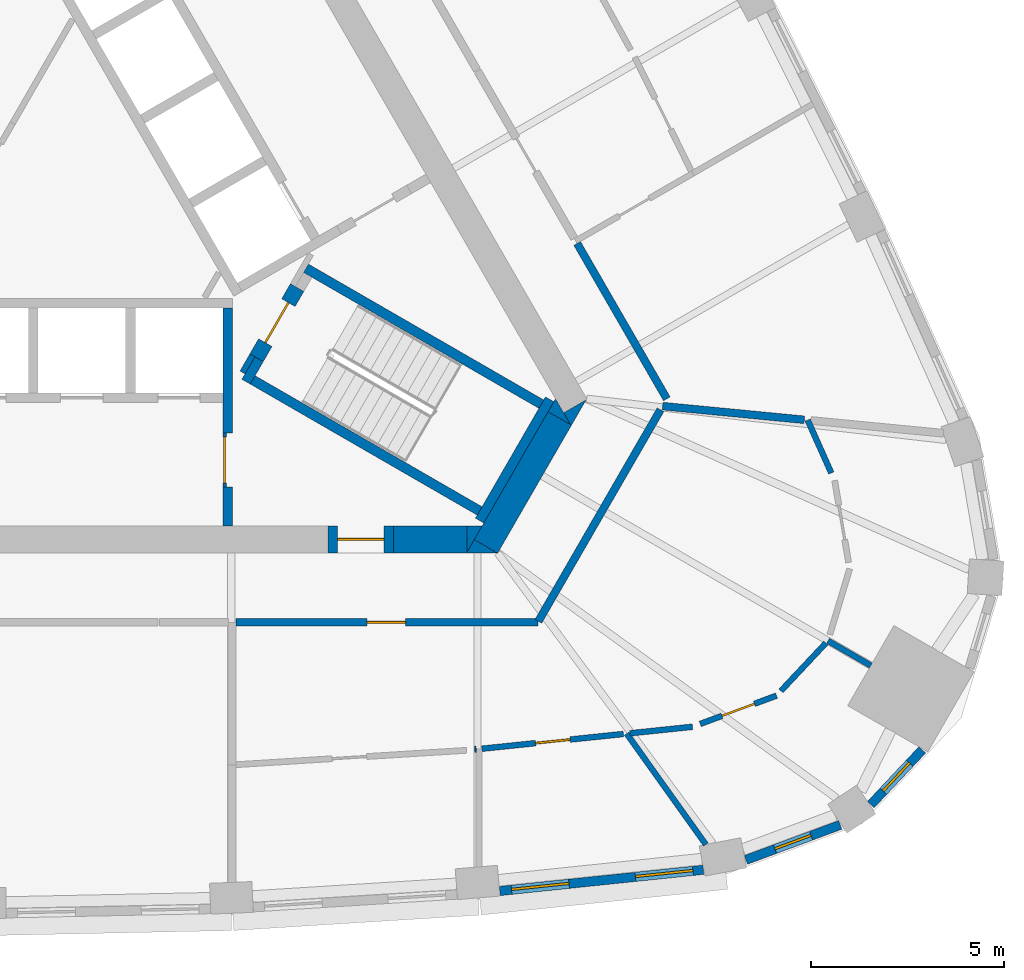
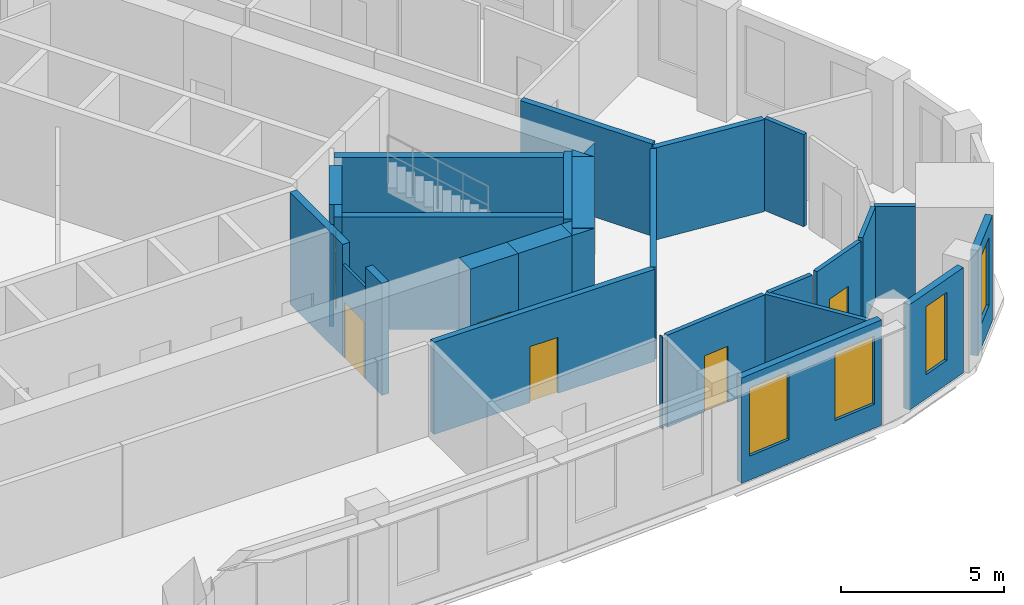
# One storey, part 6 of 10: 31 walls, 6 doors, 4 windows, 10 openings.
"""IFC4 building model written with IfcOpenShell, lengths in metres."""

from ifc_helpers import new_model, si_unit, direction, frame, frame_2d, origin, place, context, subcontext, project, spatial, polyline, rectangle, outline, extrude, material, layer, layer_set, type_object, element, fill, save


model = new_model("IFC4")

# Units and contexts
model_context = context("Model", 3, precision=1e-05, world=origin(), true_north=direction((0.0, 1.0)))
body_context = subcontext(model_context, "Body", "Model", "MODEL_VIEW")
ifc_project = project(units=[si_unit("LENGTHUNIT", "METRE"), si_unit("AREAUNIT", "SQUARE_METRE"), si_unit("VOLUMEUNIT", "CUBIC_METRE"), si_unit("PLANEANGLEUNIT", "RADIAN"), si_unit("MASSUNIT", "GRAM", prefix="KILO")], contexts=[model_context])

# Site, building, storey
site_placement = place(None, origin())
site = spatial("IfcSite", under=ifc_project, at=site_placement, CompositionType="ELEMENT")
building_placement = place(site_placement, origin())
building = spatial("IfcBuilding", under=site, at=building_placement, Name="Mestral Congress Tower", CompositionType="ELEMENT")
storey_placement = place(building_placement, frame((0.0, 0.0, 235.199951171875)))
storey = spatial("IfcBuildingStorey", under=building, at=storey_placement, Name="L55", CompositionType="ELEMENT", Elevation=235.199951171875)

# Wall
ifc_material_1 = material(Name="Fire-rated board partition")
ifc_layer_1 = layer(ifc_material_1, 0.14990234375)
ifc_layer_set_1 = layer_set([ifc_layer_1], Name="Fire-rated board partition")
wall_type_1 = type_object("IfcWallType", Name="Core partition 150", PredefinedType="PARTITIONING", material=ifc_layer_set_1)
wall_1_placement = place(storey_placement, frame((6.94482421875, -5.22216796875, 0.0), z_axis=(0.0, 0.0, 1.0), x_axis=(-0.499818422106, -0.866130212453, 0.0)))
element("IfcWall", 1, at=wall_1_placement, inside=storey, type_object=wall_type_1, Name="L55 core wall", PredefinedType="PARTITIONING", context=body_context, shape_type="SweptSolid", body=[
    extrude(rectangle(XDim=0.513916015625, YDim=0.14990234375, at=frame_2d((0.2568359375, 0.0))), origin(), (0.0, 0.0, 1.0), 3.449951171875),
])

# Wall, opening, door
ifc_layer_2 = layer(ifc_material_1, 0.090087890625)
ifc_layer_set_2 = layer_set([ifc_layer_2], Name="Fire-rated board partition")
wall_type_2 = type_object("IfcWallType", Name="Core partition 150 door-wall 90", PredefinedType="PARTITIONING", material=ifc_layer_set_2)
wall_2_placement = place(storey_placement, frame((6.219970703125, -7.23681640625, 0.0), z_axis=(0.0, 0.0, 1.0), x_axis=(0.0, -1.0, 0.0)))
wall_2 = element("IfcWall", 2, at=wall_2_placement, inside=storey, type_object=wall_type_2, Name="L55 door wall", PredefinedType="PARTITIONING", context=body_context, shape_type="SweptSolid", body=[
    extrude(rectangle(XDim=1.400146484375, YDim=0.090087890625, at=frame_2d((0.7001953125, 0.0))), origin(), (0.0, 0.0, 1.0), 3.449951171875),
])
opening_1_placement = place(wall_2_placement, frame((0.10009765625, 0.0, 0.0)))
opening_1 = element("IfcOpeningElement", 3, at=opening_1_placement, cuts=wall_2, Name="Opening LB0-WL1", PredefinedType="OPENING", context=body_context, shape_type="SweptSolid", body=[
    extrude(rectangle(XDim=1.199951171875, YDim=2.10009765625, at=frame_2d((0.60009765625, 1.050048828125))), frame((0.0, 0.054931640625, 0.0), z_axis=(0.0, -1.0, 0.0), x_axis=(1.0, 0.0, 0.0)), (0.0, 0.0, 1.0), 0.110107421875),
])
ifc_material_2 = material(Name="Fire-rated steel door set", Category="steel")
door_type_1 = type_object("IfcDoorType", Name="Core door LB 1200x2100", OperationType="SINGLE_SWING_LEFT", PredefinedType="DOOR", material=ifc_material_2)
door_1_placement = place(opening_1_placement, origin())
door_1 = element("IfcDoor", 4, at=door_1_placement, inside=storey, type_object=door_type_1, Name="Door LB0-WL1", OperationType="SINGLE_SWING_LEFT", OverallHeight=2.10009765625, OverallWidth=1.199951171875, PredefinedType="DOOR", context=body_context, shape_type="SweptSolid", body=[
    extrude(rectangle(XDim=1.199951171875, YDim=2.10009765625, at=frame_2d((0.60009765625, 1.050048828125))), frame((0.0, 0.02490234375, 0.0), z_axis=(0.0, -1.0, 0.0), x_axis=(1.0, 0.0, 0.0)), (0.0, 0.0, 1.0), 0.050048828125),
])
fill(opening_1, door_1)

# Walls
ifc_material_3 = material(Name="Concrete C60/75", Category="concrete")
ifc_layer_3 = layer(ifc_material_3, 0.699951171875)
ifc_layer_set_3 = layer_set([ifc_layer_3], Name="Concrete C60/75")
wall_type_3 = type_object("IfcWallType", Name="Core wall RC 700", PredefinedType="SOLIDWALL", material=ifc_layer_set_3)
placement = place(storey_placement, origin())
element("IfcWall", 5, at=placement, inside=storey, type_object=wall_type_3, Name="L55 core wall", PredefinedType="SOLIDWALL", context=body_context, shape_type="SweptSolid", body=[
    extrude(outline(polyline([(15.213134765625, -7.050048828125), (15.019287109375, -6.714111328125), (15.60107421875, -6.3779296875), (15.213134765625, -7.050048828125)])), origin(), (0.0, 0.0, 1.0), 4.199951171875),
])
wall_4_placement = place(storey_placement, frame((13.002685546875, -10.1787109375, 0.0), z_axis=(0.0, 0.0, 1.0), x_axis=(0.499972675833, 0.866041178825, 0.0)))
element("IfcWall", 6, at=wall_4_placement, inside=storey, type_object=wall_type_3, Name="L55 core wall", PredefinedType="SOLIDWALL", context=body_context, shape_type="SweptSolid", body=[
    extrude(rectangle(XDim=3.828857421875, YDim=0.699951171875, at=frame_2d((1.91455078125, 0.0))), origin(), (0.0, 0.0, 1.0), 4.199951171875),
])
element("IfcWall", 7, at=placement, inside=storey, type_object=wall_type_3, Name="L55 core wall", PredefinedType="SOLIDWALL", context=body_context, shape_type="SweptSolid", body=[
    extrude(outline(polyline([(12.49951171875, -10.35009765625), (12.698486328125, -10.00537109375), (13.295654296875, -10.35009765625), (12.49951171875, -10.35009765625)])), origin(), (0.0, 0.0, 1.0), 4.199951171875),
])
element("IfcWall", 8, at=placement, inside=storey, type_object=wall_type_3, Name="L55 core wall", PredefinedType="SOLIDWALL", context=body_context, shape_type="SweptSolid", body=[
    extrude(outline(polyline([(14.80908203125, -6.35009765625), (15.197265625, -7.022216796875), (14.614990234375, -6.68603515625), (14.80908203125, -6.35009765625)])), origin(), (0.0, 0.0, 1.0), 4.199951171875),
])
wall_7_placement = place(storey_placement, frame((10.6044921875, -10.0, 0.0), z_axis=(0.0, 0.0, 1.0), x_axis=(1.0, 0.0, 0.0)))
element("IfcWall", 9, at=wall_7_placement, inside=storey, type_object=wall_type_3, Name="L55 core wall", PredefinedType="SOLIDWALL", context=body_context, shape_type="SweptSolid", body=[
    extrude(rectangle(XDim=1.909423828125, YDim=0.699951171875, at=frame_2d((0.95458984375, 0.0))), origin(), (0.0, 0.0, 1.0), 4.199951171875),
])
element("IfcWall", 10, at=placement, inside=storey, type_object=wall_type_3, Name="L55 core wall", PredefinedType="SOLIDWALL", context=body_context, shape_type="SweptSolid", body=[
    extrude(outline(polyline([(12.90380859375, -9.64990234375), (12.515869140625, -10.322021484375), (12.515869140625, -9.64990234375), (12.90380859375, -9.64990234375)])), origin(), (0.0, 0.0, 1.0), 4.199951171875),
])

# Wall, opening, door
wall_9_placement = place(storey_placement, frame((10.6044921875, -10.0, 0.0), z_axis=(0.0, 0.0, 1.0), x_axis=(-1.0, 0.0, 0.0)))
wall_9 = element("IfcWall", 11, at=wall_9_placement, inside=storey, type_object=wall_type_3, Name="L55 door wall", PredefinedType="SOLIDWALL", context=body_context, shape_type="SweptSolid", body=[
    extrude(rectangle(XDim=1.699951171875, YDim=0.699951171875, at=frame_2d((0.85009765625, 0.0))), origin(), (0.0, 0.0, 1.0), 4.199951171875),
])
opening_2_placement = place(wall_9_placement, frame((0.25, 0.0, 0.0)))
opening_2 = element("IfcOpeningElement", 12, at=opening_2_placement, cuts=wall_9, Name="Opening XD1", PredefinedType="OPENING", context=body_context, shape_type="SweptSolid", body=[
    extrude(rectangle(XDim=1.199951171875, YDim=2.10009765625, at=frame_2d((0.60009765625, 1.050048828125))), frame((0.0, 0.35986328125, 0.0), z_axis=(0.0, -1.0, 0.0), x_axis=(1.0, 0.0, 0.0)), (0.0, 0.0, 1.0), 0.719970703125),
])
door_type_2 = type_object("IfcDoorType", Name="Core door XD 1200x2100", OperationType="SINGLE_SWING_LEFT", PredefinedType="DOOR", material=ifc_material_2)
door_2_placement = place(opening_2_placement, origin())
door_2 = element("IfcDoor", 13, at=door_2_placement, inside=storey, type_object=door_type_2, Name="Door XD1", OperationType="SINGLE_SWING_LEFT", OverallHeight=2.10009765625, OverallWidth=1.199951171875, PredefinedType="DOOR", context=body_context, shape_type="SweptSolid", body=[
    extrude(rectangle(XDim=1.199951171875, YDim=2.10009765625, at=frame_2d((0.60009765625, 1.050048828125))), frame((0.0, 0.02490234375, 0.0), z_axis=(0.0, -1.0, 0.0), x_axis=(1.0, 0.0, 0.0)), (0.0, 0.0, 1.0), 0.050048828125),
])
fill(opening_2, door_2)

# Wall, openings, windows
ifc_material_4 = material(Name="Precast concrete C40/50 with limestone facing", Category="masonry")
ifc_layer_4 = layer(ifc_material_4, 0.239990234375)
ifc_layer_set_4 = layer_set([ifc_layer_4], Name="Precast concrete C40/50 with limestone facing")
wall_type_4 = type_object("IfcWallType", Name="Facade stone wall 240", PredefinedType="SOLIDWALL", material=ifc_layer_set_4)
wall_10_placement = place(storey_placement, frame((13.362060546875, -19.12109375, 0.0), z_axis=(0.0, 0.0, 1.0), x_axis=(0.994621961215, 0.103571976272, 0.0)))
wall_10 = element("IfcWall", 14, at=wall_10_placement, inside=storey, type_object=wall_type_4, Name="Facade wall F0-05", PredefinedType="SOLIDWALL", context=body_context, shape_type="SweptSolid", body=[
    extrude(rectangle(XDim=5.310791015625, YDim=0.239990234375, at=frame_2d((2.6552734375, 0.0))), origin(), (0.0, 0.0, 1.0), 3.949951171875),
])
opening_3_placement = place(wall_10_placement, frame((0.306396484375, 0.0, 0.89990234375)))
opening_3 = element("IfcOpeningElement", 15, at=opening_3_placement, cuts=wall_10, Name="Opening W4", PredefinedType="OPENING", context=body_context, shape_type="SweptSolid", body=[
    extrude(rectangle(XDim=1.5, YDim=2.550048828125, at=frame_2d((0.75, 1.27490234375))), frame((0.0, 0.1298828125, 0.0), z_axis=(0.0, -1.0, 0.0), x_axis=(1.0, 0.0, 0.0)), (0.0, 0.0, 1.0), 0.260009765625),
])
opening_4_placement = place(wall_10_placement, frame((3.539306640625, 0.0, 0.89990234375)))
opening_4 = element("IfcOpeningElement", 16, at=opening_4_placement, cuts=wall_10, Name="Opening W4", PredefinedType="OPENING", context=body_context, shape_type="SweptSolid", body=[
    extrude(rectangle(XDim=1.5, YDim=2.550048828125, at=frame_2d((0.75, 1.27490234375))), frame((0.0, 0.1298828125, 0.0), z_axis=(0.0, -1.0, 0.0), x_axis=(1.0, 0.0, 0.0)), (0.0, 0.0, 1.0), 0.260009765625),
])
ifc_material_5 = material(Name="Clear low-emissivity double glazing", Category="glass")
window_type_1 = type_object("IfcWindowType", Name="Facade punched window 1500 x 2550 sill 900", PartitioningType="SINGLE_PANEL", PredefinedType="WINDOW", material=ifc_material_5)
window_1_placement = place(opening_3_placement, origin())
window_1 = element("IfcWindow", 17, at=window_1_placement, inside=storey, type_object=window_type_1, Name="Window F0-05a", OverallHeight=2.550048828125, OverallWidth=1.5, PartitioningType="SINGLE_PANEL", PredefinedType="WINDOW", context=body_context, shape_type="SweptSolid", body=[
    extrude(rectangle(XDim=1.5, YDim=2.550048828125, at=frame_2d((0.75, 1.27490234375))), frame((0.0, 0.0400390625, 0.0), z_axis=(0.0, -1.0, 0.0), x_axis=(1.0, 0.0, 0.0)), (0.0, 0.0, 1.0), 0.06005859375),
])
fill(opening_3, window_1)
window_2_placement = place(opening_4_placement, origin())
window_2 = element("IfcWindow", 18, at=window_2_placement, inside=storey, type_object=window_type_1, Name="Window F0-05b", OverallHeight=2.550048828125, OverallWidth=1.5, PartitioningType="SINGLE_PANEL", PredefinedType="WINDOW", context=body_context, shape_type="SweptSolid", body=[
    extrude(rectangle(XDim=1.5, YDim=2.550048828125, at=frame_2d((0.75, 1.27490234375))), frame((0.0, 0.0400390625, 0.0), z_axis=(0.0, -1.0, 0.0), x_axis=(1.0, 0.0, 0.0)), (0.0, 0.0, 1.0), 0.06005859375),
])
fill(opening_4, window_2)

# Wall, opening, window
wall_11_placement = place(storey_placement, frame((19.747802734375, -18.31396484375, 0.0), z_axis=(0.0, 0.0, 1.0), x_axis=(0.937569171184, 0.347798863203, 0.0)))
wall_11 = element("IfcWall", 19, at=wall_11_placement, inside=storey, type_object=wall_type_4, Name="Facade wall K0-0", PredefinedType="SOLIDWALL", context=body_context, shape_type="SweptSolid", body=[
    extrude(rectangle(XDim=2.609130859375, YDim=0.239990234375, at=frame_2d((1.3046875, 0.0))), origin(), (0.0, 0.0, 1.0), 3.949951171875),
])
opening_5_placement = place(wall_11_placement, frame((0.8046875, 0.0, 0.89990234375)))
opening_5 = element("IfcOpeningElement", 20, at=opening_5_placement, cuts=wall_11, Name="Opening W5", PredefinedType="OPENING", context=body_context, shape_type="SweptSolid", body=[
    extrude(rectangle(XDim=1.0, YDim=2.550048828125, at=frame_2d((0.5, 1.27490234375))), frame((0.0, 0.1298828125, 0.0), z_axis=(0.0, -1.0, 0.0), x_axis=(1.0, 0.0, 0.0)), (0.0, 0.0, 1.0), 0.260009765625),
])
window_type_2 = type_object("IfcWindowType", Name="Facade punched window 1000 x 2550 sill 900", PartitioningType="SINGLE_PANEL", PredefinedType="WINDOW", material=ifc_material_5)
window_3_placement = place(opening_5_placement, origin())
window_3 = element("IfcWindow", 21, at=window_3_placement, inside=storey, type_object=window_type_2, Name="Window K0-0", OverallHeight=2.550048828125, OverallWidth=1.0, PartitioningType="SINGLE_PANEL", PredefinedType="WINDOW", context=body_context, shape_type="SweptSolid", body=[
    extrude(rectangle(XDim=1.0, YDim=2.550048828125, at=frame_2d((0.5, 1.27490234375))), frame((0.0, 0.0400390625, 0.0), z_axis=(0.0, -1.0, 0.0), x_axis=(1.0, 0.0, 0.0)), (0.0, 0.0, 1.0), 0.06005859375),
])
fill(opening_5, window_3)

wall_12_placement = place(storey_placement, frame((22.989013671875, -16.87890625, 0.0), z_axis=(0.0, 0.0, 1.0), x_axis=(0.684770274166, 0.728758994194, 0.0)))
wall_12 = element("IfcWall", 22, at=wall_12_placement, inside=storey, type_object=wall_type_4, Name="Facade wall K0-1", PredefinedType="SOLIDWALL", context=body_context, shape_type="SweptSolid", body=[
    extrude(rectangle(XDim=1.947998046875, YDim=0.239990234375, at=frame_2d((0.97412109375, 0.0))), origin(), (0.0, 0.0, 1.0), 3.949951171875),
])
opening_6_placement = place(wall_12_placement, frame((0.47412109375, 0.0, 0.89990234375)))
opening_6 = element("IfcOpeningElement", 23, at=opening_6_placement, cuts=wall_12, Name="Opening W5", PredefinedType="OPENING", context=body_context, shape_type="SweptSolid", body=[
    extrude(rectangle(XDim=1.0, YDim=2.550048828125, at=frame_2d((0.5, 1.27490234375))), frame((0.0, 0.1298828125, 0.0), z_axis=(0.0, -1.0, 0.0), x_axis=(1.0, 0.0, 0.0)), (0.0, 0.0, 1.0), 0.260009765625),
])
window_4_placement = place(opening_6_placement, origin())
window_4 = element("IfcWindow", 24, at=window_4_placement, inside=storey, type_object=window_type_2, Name="Window K0-1", OverallHeight=2.550048828125, OverallWidth=1.0, PartitioningType="SINGLE_PANEL", PredefinedType="WINDOW", context=body_context, shape_type="SweptSolid", body=[
    extrude(rectangle(XDim=1.0, YDim=2.550048828125, at=frame_2d((0.5, 1.27490234375))), frame((0.0, 0.0400390625, 0.0), z_axis=(0.0, -1.0, 0.0), x_axis=(1.0, 0.0, 0.0)), (0.0, 0.0, 1.0), 0.06005859375),
])
fill(opening_6, window_4)

# Walls
ifc_material_6 = material(Name="Plasterboard partition on steel studs", Category="steel")
ifc_layer_5 = layer(ifc_material_6, 0.14990234375)
ifc_layer_set_5 = layer_set([ifc_layer_5], Name="Plasterboard partition on steel studs")
wall_type_5 = type_object("IfcWallType", Name="Office partition 150", PredefinedType="PARTITIONING", material=ifc_layer_set_5)
wall_13_placement = place(storey_placement, frame((12.713134765625, -15.448486328125, 0.0), z_axis=(0.0, 0.0, 1.0), x_axis=(0.995106821048, 0.098804932586, 0.0)))
element("IfcWall", 25, at=wall_13_placement, inside=storey, type_object=wall_type_5, Name="Partition", PredefinedType="PARTITIONING", context=body_context, shape_type="SweptSolid", body=[
    extrude(rectangle(XDim=0.03466796875, YDim=0.14990234375, at=frame_2d((0.017333984375, 0.0))), origin(), (0.0, 0.0, 1.0), 3.449951171875),
])
wall_14_placement = place(storey_placement, frame((16.65478515625, -15.0380859375, 0.0), z_axis=(0.0, 0.0, 1.0), x_axis=(0.580996489012, -0.813906063226, 0.0)))
element("IfcWall", 26, at=wall_14_placement, inside=storey, type_object=wall_type_5, Name="Partition", PredefinedType="PARTITIONING", context=body_context, shape_type="SweptSolid", body=[
    extrude(rectangle(XDim=3.53564453125, YDim=0.14990234375, at=frame_2d((1.767822265625, 0.0))), origin(), (0.0, 0.0, 1.0), 3.449951171875),
])

# Wall, opening, door
wall_15_placement = place(storey_placement, frame((16.569091796875, -15.047119140625, 0.0), z_axis=(0.0, 0.0, 1.0), x_axis=(-0.994621532294, -0.103576095197, 0.0)))
wall_15 = element("IfcWall", 27, at=wall_15_placement, inside=storey, type_object=wall_type_5, Name="Partition", PredefinedType="PARTITIONING", context=body_context, shape_type="SweptSolid", body=[
    extrude(rectangle(XDim=3.691162109375, YDim=0.14990234375, at=frame_2d((1.845703125, 0.0))), origin(), (0.0, 0.0, 1.0), 3.449951171875),
])
opening_7_placement = place(wall_15_placement, frame((1.39111328125, 0.0, 0.0)))
opening_7 = element("IfcOpeningElement", 28, at=opening_7_placement, cuts=wall_15, Name="Opening O08-008", PredefinedType="OPENING", context=body_context, shape_type="SweptSolid", body=[
    extrude(rectangle(XDim=0.89990234375, YDim=2.10009765625, at=frame_2d((0.449951171875, 1.050048828125))), frame((0.0, 0.0849609375, 0.0), z_axis=(0.0, -1.0, 0.0), x_axis=(1.0, 0.0, 0.0)), (0.0, 0.0, 1.0), 0.169921875),
])
ifc_material_7 = material(Name="Timber door set", Category="wood")
door_type_3 = type_object("IfcDoorType", Name="Office door 900x2100", OperationType="SINGLE_SWING_LEFT", PredefinedType="DOOR", material=ifc_material_7)
door_3_placement = place(opening_7_placement, origin())
door_3 = element("IfcDoor", 29, at=door_3_placement, inside=storey, type_object=door_type_3, Name="Door O08-008", OperationType="SINGLE_SWING_LEFT", OverallHeight=2.10009765625, OverallWidth=0.89990234375, PredefinedType="DOOR", context=body_context, shape_type="SweptSolid", body=[
    extrude(rectangle(XDim=0.89990234375, YDim=2.10009765625, at=frame_2d((0.449951171875, 1.050048828125))), frame((0.0, 0.02490234375, 0.0), z_axis=(0.0, -1.0, 0.0), x_axis=(1.0, 0.0, 0.0)), (0.0, 0.0, 1.0), 0.050048828125),
])
fill(opening_7, door_3)

# Walls
wall_16_placement = place(storey_placement, frame((21.876708984375, -12.63037109375, 0.0), z_axis=(0.0, 0.0, 1.0), x_axis=(0.86599869919, -0.500046250861, 0.0)))
element("IfcWall", 30, at=wall_16_placement, inside=storey, type_object=wall_type_5, Name="Partition", PredefinedType="PARTITIONING", context=body_context, shape_type="SweptSolid", body=[
    extrude(rectangle(XDim=1.28369140625, YDim=0.14990234375, at=frame_2d((0.641845703125, 0.0))), origin(), (0.0, 0.0, 1.0), 3.449951171875),
])
wall_17_placement = place(storey_placement, frame((16.740478515625, -15.029296875, 0.0), z_axis=(0.0, 0.0, 1.0), x_axis=(0.994614871477, 0.103640037805, 0.0)))
element("IfcWall", 31, at=wall_17_placement, inside=storey, type_object=wall_type_5, Name="Partition", PredefinedType="PARTITIONING", context=body_context, shape_type="SweptSolid", body=[
    extrude(rectangle(XDim=1.630126953125, YDim=0.14990234375, at=frame_2d((0.81494140625, 0.0))), origin(), (0.0, 0.0, 1.0), 3.449951171875),
])

# Wall, opening, door
wall_18_placement = place(storey_placement, frame((20.540771484375, -14.05224609375, 0.0), z_axis=(0.0, 0.0, 1.0), x_axis=(-0.937602119917, -0.347710029662, 0.0)))
wall_18 = element("IfcWall", 32, at=wall_18_placement, inside=storey, type_object=wall_type_5, Name="Partition", PredefinedType="PARTITIONING", context=body_context, shape_type="SweptSolid", body=[
    extrude(rectangle(XDim=2.10986328125, YDim=0.14990234375, at=frame_2d((1.054931640625, 0.0))), origin(), (0.0, 0.0, 1.0), 3.449951171875),
])
opening_8_placement = place(wall_18_placement, frame((0.609619140625, 0.0, 0.0)))
opening_8 = element("IfcOpeningElement", 33, at=opening_8_placement, cuts=wall_18, Name="Opening O08-009", PredefinedType="OPENING", context=body_context, shape_type="SweptSolid", body=[
    extrude(rectangle(XDim=0.89990234375, YDim=2.10009765625, at=frame_2d((0.449951171875, 1.050048828125))), frame((0.0, 0.0849609375, 0.0), z_axis=(0.0, -1.0, 0.0), x_axis=(1.0, 0.0, 0.0)), (0.0, 0.0, 1.0), 0.169921875),
])
door_4_placement = place(opening_8_placement, origin())
door_4 = element("IfcDoor", 34, at=door_4_placement, inside=storey, type_object=door_type_3, Name="Door O08-009", OperationType="SINGLE_SWING_RIGHT", OverallHeight=2.10009765625, OverallWidth=0.89990234375, PredefinedType="DOOR", context=body_context, shape_type="SweptSolid", body=[
    extrude(rectangle(XDim=0.89990234375, YDim=2.10009765625, at=frame_2d((0.449951171875, 1.050048828125))), frame((0.0, 0.02490234375, 0.0), z_axis=(0.0, -1.0, 0.0), x_axis=(1.0, 0.0, 0.0)), (0.0, 0.0, 1.0), 0.050048828125),
])
fill(opening_8, door_4)

# Walls
wall_19_placement = place(storey_placement, frame((20.656005859375, -13.929443359375, 0.0), z_axis=(0.0, 0.0, 1.0), x_axis=(0.684716940988, 0.728809104447, 0.0)))
element("IfcWall", 35, at=wall_19_placement, inside=storey, type_object=wall_type_5, Name="Partition", PredefinedType="PARTITIONING", context=body_context, shape_type="SweptSolid", body=[
    extrude(rectangle(XDim=1.705322265625, YDim=0.14990234375, at=frame_2d((0.8525390625, 0.0))), origin(), (0.0, 0.0, 1.0), 3.449951171875),
])
wall_20_placement = place(storey_placement, frame((21.962890625, -8.27587890625, 0.0), z_axis=(0.0, 0.0, 1.0), x_axis=(-0.407510458183, 0.913200540118, 0.0)))
element("IfcWall", 36, at=wall_20_placement, inside=storey, type_object=wall_type_5, Name="Partition", PredefinedType="PARTITIONING", context=body_context, shape_type="SweptSolid", body=[
    extrude(rectangle(XDim=1.501953125, YDim=0.14990234375, at=frame_2d((0.7509765625, 0.0))), origin(), (0.0, 0.0, 1.0), 3.449951171875),
])
ifc_material_8 = material(Name="Dense masonry wall, plastered", Category="masonry")
ifc_layer_6 = layer(ifc_material_8, 0.199951171875)
ifc_layer_set_6 = layer_set([ifc_layer_6], Name="Dense masonry wall, plastered")
wall_type_6 = type_object("IfcWallType", Name="Office tenancy wall 200", PredefinedType="PARTITIONING", material=ifc_layer_set_6)
wall_21_placement = place(storey_placement, frame((17.5859375, -6.540283203125, 0.0), z_axis=(0.0, 0.0, 1.0), x_axis=(0.995358181524, -0.096239755158, 0.0)))
element("IfcWall", 37, at=wall_21_placement, inside=storey, type_object=wall_type_6, Name="Tenancy wall", PredefinedType="PARTITIONING", context=body_context, shape_type="SweptSolid", body=[
    extrude(rectangle(XDim=3.696044921875, YDim=0.199951171875, at=frame_2d((1.84814453125, 0.0))), origin(), (0.0, 0.0, 1.0), 3.449951171875),
])

# Wall, opening, door
wall_22_placement = place(storey_placement, frame((6.516845703125, -12.14990234375, 0.0), z_axis=(0.0, 0.0, 1.0), x_axis=(1.0, 0.0, 0.0)))
wall_22 = element("IfcWall", 38, at=wall_22_placement, inside=storey, type_object=wall_type_6, Name="Tenancy wall", PredefinedType="PARTITIONING", context=body_context, shape_type="SweptSolid", body=[
    extrude(rectangle(XDim=7.830322265625, YDim=0.199951171875, at=frame_2d((3.9150390625, 0.0))), origin(), (0.0, 0.0, 1.0), 3.449951171875),
])
opening_9_placement = place(wall_22_placement, frame((3.39990234375, 0.0, 0.0)))
opening_9 = element("IfcOpeningElement", 39, at=opening_9_placement, cuts=wall_22, Name="Opening O08-011", PredefinedType="OPENING", context=body_context, shape_type="SweptSolid", body=[
    extrude(rectangle(XDim=1.0, YDim=2.10009765625, at=frame_2d((0.5, 1.050048828125))), frame((0.0, 0.10986328125, 0.0), z_axis=(0.0, -1.0, 0.0), x_axis=(1.0, 0.0, 0.0)), (0.0, 0.0, 1.0), 0.219970703125),
])
ifc_material_9 = material(Name="Fire-rated timber door set", Category="wood")
door_type_4 = type_object("IfcDoorType", Name="Office tenancy entrance door 1000x2100", OperationType="SINGLE_SWING_LEFT", PredefinedType="DOOR", material=ifc_material_9)
door_5_placement = place(opening_9_placement, origin())
door_5 = element("IfcDoor", 40, at=door_5_placement, inside=storey, type_object=door_type_4, Name="Door O08-011", OperationType="SINGLE_SWING_LEFT", OverallHeight=2.10009765625, OverallWidth=1.0, PredefinedType="DOOR", context=body_context, shape_type="SweptSolid", body=[
    extrude(rectangle(XDim=1.0, YDim=2.10009765625, at=frame_2d((0.5, 1.050048828125))), frame((0.0, 0.02490234375, 0.0), z_axis=(0.0, -1.0, 0.0), x_axis=(1.0, 0.0, 0.0)), (0.0, 0.0, 1.0), 0.050048828125),
])
fill(opening_9, door_5)

# Walls
wall_23_placement = place(storey_placement, frame((14.362060546875, -12.1240234375, 0.0), z_axis=(0.0, 0.0, 1.0), x_axis=(0.500017005442, 0.866015585465, 0.0)))
element("IfcWall", 41, at=wall_23_placement, inside=storey, type_object=wall_type_6, Name="Tenancy wall", PredefinedType="PARTITIONING", context=body_context, shape_type="SweptSolid", body=[
    extrude(rectangle(XDim=6.337646484375, YDim=0.199951171875, at=frame_2d((3.1689453125, 0.0))), origin(), (0.0, 0.0, 1.0), 3.449951171875),
])
wall_24_placement = place(storey_placement, frame((17.69580078125, -6.35009765625, 0.0), z_axis=(0.0, 0.0, 1.0), x_axis=(-0.499976825411, 0.866038783226, 0.0)))
element("IfcWall", 42, at=wall_24_placement, inside=storey, type_object=wall_type_6, Name="Tenancy wall", PredefinedType="PARTITIONING", context=body_context, shape_type="SweptSolid", body=[
    extrude(rectangle(XDim=4.652587890625, YDim=0.199951171875, at=frame_2d((2.326171875, 0.0))), origin(), (0.0, 0.0, 1.0), 3.449951171875),
])
ifc_layer_7 = layer(ifc_material_3, 0.25)
ifc_layer_set_7 = layer_set([ifc_layer_7], Name="Concrete C60/75")
wall_type_7 = type_object("IfcWallType", Name="Shaft wall RC 250", PredefinedType="SOLIDWALL", material=ifc_layer_set_7)
wall_25_placement = place(storey_placement, frame((6.300048828125, -7.239990234375, 0.0), z_axis=(0.0, 0.0, 1.0), x_axis=(0.0, 1.0, 0.0)))
element("IfcWall", 43, at=wall_25_placement, inside=storey, type_object=wall_type_7, Name="L55 core wall", PredefinedType="SOLIDWALL", context=body_context, shape_type="SweptSolid", body=[
    extrude(rectangle(XDim=3.239990234375, YDim=0.25, at=frame_2d((1.6201171875, 0.0))), origin(), (0.0, 0.0, 1.0), 4.199951171875),
])
wall_26_placement = place(storey_placement, frame((6.300048828125, -9.64990234375, 0.0), z_axis=(0.0, 0.0, 1.0), x_axis=(0.0, 1.0, 0.0)))
element("IfcWall", 44, at=wall_26_placement, inside=storey, type_object=wall_type_7, Name="L55 core wall", PredefinedType="SOLIDWALL", context=body_context, shape_type="SweptSolid", body=[
    extrude(rectangle(XDim=1.0078125, YDim=0.25, at=frame_2d((0.50390625, 0.0))), origin(), (0.0, 0.0, 1.0), 4.199951171875),
])
ifc_layer_8 = layer(ifc_material_3, 0.25)
ifc_layer_set_8 = layer_set([ifc_layer_8], Name="Concrete C60/75")
wall_type_8 = type_object("IfcWallType", Name="Stair wall RC 250", PredefinedType="SOLIDWALL", material=ifc_layer_set_8)
wall_27_placement = place(storey_placement, frame((12.839599609375, -9.510986328125, 0.0), z_axis=(0.0, 0.0, 1.0), x_axis=(0.500048121057, 0.865997619297, 0.0)))
element("IfcWall", 45, at=wall_27_placement, inside=storey, type_object=wall_type_8, Name="L55 core wall", PredefinedType="SOLIDWALL", context=body_context, shape_type="SweptSolid", body=[
    extrude(rectangle(XDim=3.634033203125, YDim=0.25, at=frame_2d((1.81689453125, 0.0))), origin(), (0.0, 0.0, 1.0), 4.199951171875),
])
wall_28_placement = place(storey_placement, frame((12.83984375, -9.2607421875, 0.0), z_axis=(0.0, 0.0, 1.0), x_axis=(-0.866013990052, 0.500019768644, 0.0)))
element("IfcWall", 46, at=wall_28_placement, inside=storey, type_object=wall_type_8, Name="L55 core wall", PredefinedType="SOLIDWALL", context=body_context, shape_type="SweptSolid", body=[
    extrude(rectangle(XDim=6.800048828125, YDim=0.25, at=frame_2d((3.39990234375, 0.0))), origin(), (0.0, 0.0, 1.0), 4.199951171875),
])
wall_29_placement = place(storey_placement, frame((6.780029296875, -5.906494140625, 0.0), z_axis=(0.0, 0.0, 1.0), x_axis=(0.500223362819, 0.865896406789, 0.0)))
element("IfcWall", 47, at=wall_29_placement, inside=storey, type_object=wall_type_8, Name="L55 core wall", PredefinedType="SOLIDWALL", context=body_context, shape_type="SweptSolid", body=[
    extrude(rectangle(XDim=0.675048828125, YDim=0.25, at=frame_2d((0.33740234375, 0.0))), origin(), (0.0, 0.0, 1.0), 4.199951171875),
])
wall_30_placement = place(storey_placement, frame((8.33447265625, -2.96435546875, 0.0), z_axis=(0.0, 0.0, 1.0), x_axis=(0.866016039709, -0.500016218704, 0.0)))
element("IfcWall", 48, at=wall_30_placement, inside=storey, type_object=wall_type_8, Name="L55 core wall", PredefinedType="SOLIDWALL", context=body_context, shape_type="SweptSolid", body=[
    extrude(rectangle(XDim=7.050048828125, YDim=0.25, at=frame_2d((3.52490234375, 0.0))), origin(), (0.0, 0.0, 1.0), 4.199951171875),
])

# Wall, opening, door
ifc_layer_9 = layer(ifc_material_3, 0.39990234375)
ifc_layer_set_9 = layer_set([ifc_layer_9], Name="Concrete C60/75")
wall_type_9 = type_object("IfcWallType", Name="Stair wall RC 250 door-wall 400", PredefinedType="SOLIDWALL", material=ifc_layer_set_9)
wall_31_placement = place(storey_placement, frame((7.052734375, -5.2841796875, 0.0), z_axis=(0.0, 0.0, 1.0), x_axis=(0.500078061341, 0.865980330357, 0.0)))
wall_31 = element("IfcWall", 49, at=wall_31_placement, inside=storey, type_object=wall_type_9, Name="L55 door wall", PredefinedType="SOLIDWALL", context=body_context, shape_type="SweptSolid", body=[
    extrude(rectangle(XDim=2.099853515625, YDim=0.39990234375, at=frame_2d((1.0498046875, 0.0))), origin(), (0.0, 0.0, 1.0), 4.199951171875),
])
opening_10_placement = place(wall_31_placement, frame((0.449951171875, 0.0, 0.0)))
opening_10 = element("IfcOpeningElement", 50, at=opening_10_placement, cuts=wall_31, Name="Opening ST-D1", PredefinedType="OPENING", context=body_context, shape_type="SweptSolid", body=[
    extrude(rectangle(XDim=1.199951171875, YDim=2.10009765625, at=frame_2d((0.60009765625, 1.050048828125))), frame((0.0, 0.2099609375, 0.0), z_axis=(0.0, -1.0, 0.0), x_axis=(1.0, 0.0, 0.0)), (0.0, 0.0, 1.0), 0.419921875),
])
door_type_5 = type_object("IfcDoorType", Name="Core door ST 1200x2100", OperationType="SINGLE_SWING_LEFT", PredefinedType="DOOR", material=ifc_material_2)
door_6_placement = place(opening_10_placement, origin())
door_6 = element("IfcDoor", 51, at=door_6_placement, inside=storey, type_object=door_type_5, Name="Door ST-D1", OperationType="SINGLE_SWING_LEFT", OverallHeight=2.10009765625, OverallWidth=1.199951171875, PredefinedType="DOOR", context=body_context, shape_type="SweptSolid", body=[
    extrude(rectangle(XDim=1.199951171875, YDim=2.10009765625, at=frame_2d((0.60009765625, 1.050048828125))), frame((0.0, 0.02490234375, 0.0), z_axis=(0.0, -1.0, 0.0), x_axis=(1.0, 0.0, 0.0)), (0.0, 0.0, 1.0), 0.050048828125),
])
fill(opening_10, door_6)

save(model, "model.ifc")
